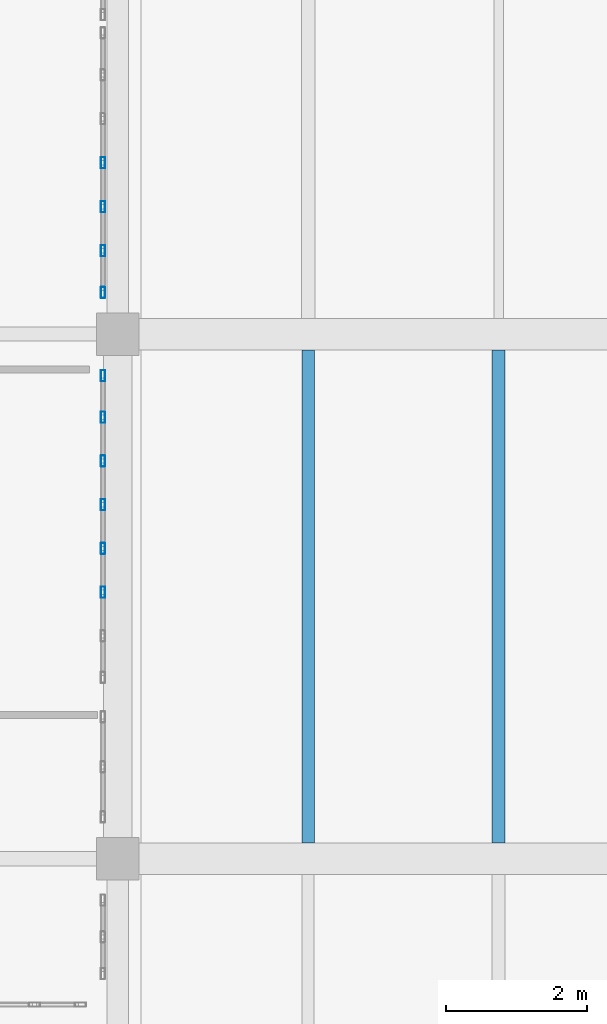
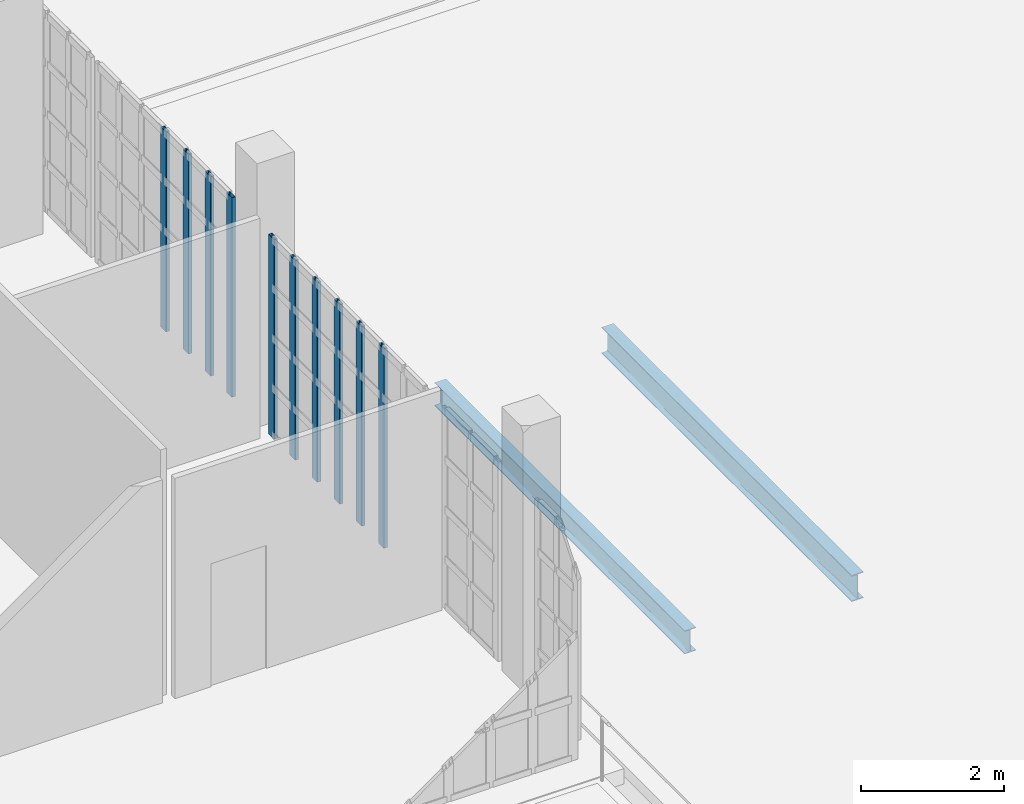
# One storey, part 28 of 73: 10 members, 2 beams, 2 elements without a shape of their own.
"""IFC4 building model written with IfcOpenShell, lengths in metres."""

from ifc_helpers import new_model, si_unit, direction, frame, origin, origin_2d, place, context, subcontext, project, spatial, hollow_rectangle, i_section, extrude, material, material_profile, profile_set, type_object, element, aggregate, save


model = new_model("IFC4")

# Units and contexts
model_context = context("Model", 3, precision=1e-05, world=origin(), true_north=direction((0.0, 1.0)))
body_context = subcontext(model_context, "Body", "Model", "MODEL_VIEW")
ifc_project = project(units=[si_unit("LENGTHUNIT", "METRE"), si_unit("AREAUNIT", "SQUARE_METRE"), si_unit("VOLUMEUNIT", "CUBIC_METRE"), si_unit("PLANEANGLEUNIT", "RADIAN"), si_unit("MASSUNIT", "GRAM", prefix="KILO")], contexts=[model_context])

# Site, building, storey
site_placement = place(None, origin())
site = spatial("IfcSite", under=ifc_project, at=site_placement, CompositionType="ELEMENT")
building_placement = place(site_placement, origin())
building = spatial("IfcBuilding", under=site, at=building_placement, Name="Kaelora Sail Theatre", CompositionType="ELEMENT")
storey_placement = place(building_placement, frame((0.0, 0.0, 10.199951171875)))
storey = spatial("IfcBuildingStorey", under=building, at=storey_placement, Name="L02", CompositionType="ELEMENT", Elevation=10.199951171875)

# Curtain wall, members
ifc_material_1 = material(Name="Anodised aluminium and solar-control low-E IGU", Category="aluminium")
curtain_wall_type = type_object("IfcCurtainWallType", Name="ARC-CW-CW-BRG", PredefinedType="NOTDEFINED", material=ifc_material_1)
curtain_wall_1_placement = place(storey_placement, origin())
curtain_wall_1 = element("IfcCurtainWall", 1, at=curtain_wall_1_placement, inside=storey, type_object=curtain_wall_type, Name="Glazed Colonnade/Courtyard Curtain Wall FC2-STEP-E-L02-02", PredefinedType="NOTDEFINED")
ifc_material_2 = material(Name="Anodised aluminium 6063-T6", Category="aluminium")
ifc_material_profile_1 = material_profile(ifc_material_2, hollow_rectangle(XDim=0.06005859375, YDim=0.159912109375, WallThickness=0.00390625, InnerFilletRadius=0.00390625, OuterFilletRadius=0.008056640625, at=origin_2d()), Name="ALU-MULL 60x160x4")
ifc_profile_set_1 = profile_set([ifc_material_profile_1], Name="Anodised aluminium 6063-T6")
member_type = type_object("IfcMemberType", Name="ARC-MEM-ML-160", PredefinedType="MULLION", material=ifc_profile_set_1)
member_1_placement = place(storey_placement, frame((122.7900390625, 72.239990234375, 0.0), z_axis=(0.0, 0.0, 1.0), x_axis=(-1.0, 0.0, 0.0)))
member_1 = element("IfcMember", 2, at=member_1_placement, type_object=member_type, Name="CW-BRG mullion 3", PredefinedType="MULLION", context=body_context, shape_type="SweptSolid", body=[
    extrude(hollow_rectangle(XDim=0.06005859375, YDim=0.159912109375, WallThickness=0.00390625, InnerFilletRadius=0.00390625, OuterFilletRadius=0.008056640625, at=origin_2d()), origin(), (0.0, 0.0, 1.0), 3.406982421875),
])
member_2_placement = place(storey_placement, frame((122.7900390625, 72.860107421875, 0.0), z_axis=(0.0, 0.0, 1.0), x_axis=(-1.0, 0.0, 0.0)))
member_2 = element("IfcMember", 3, at=member_2_placement, type_object=member_type, Name="CW-BRG mullion 4", PredefinedType="MULLION", context=body_context, shape_type="SweptSolid", body=[
    extrude(hollow_rectangle(XDim=0.06005859375, YDim=0.159912109375, WallThickness=0.00390625, InnerFilletRadius=0.00390625, OuterFilletRadius=0.008056640625, at=origin_2d()), origin(), (0.0, 0.0, 1.0), 3.406982421875),
])
member_3_placement = place(storey_placement, frame((122.7900390625, 73.47998046875, 0.0), z_axis=(0.0, 0.0, 1.0), x_axis=(-1.0, 0.0, 0.0)))
member_3 = element("IfcMember", 4, at=member_3_placement, type_object=member_type, Name="CW-BRG mullion 5", PredefinedType="MULLION", context=body_context, shape_type="SweptSolid", body=[
    extrude(hollow_rectangle(XDim=0.06005859375, YDim=0.159912109375, WallThickness=0.00390625, InnerFilletRadius=0.00390625, OuterFilletRadius=0.008056640625, at=origin_2d()), origin(), (0.0, 0.0, 1.0), 3.406982421875),
])
member_4_placement = place(storey_placement, frame((122.7900390625, 74.10009765625, 0.0), z_axis=(0.0, 0.0, 1.0), x_axis=(-1.0, 0.0, 0.0)))
member_4 = element("IfcMember", 5, at=member_4_placement, type_object=member_type, Name="CW-BRG mullion 6", PredefinedType="MULLION", context=body_context, shape_type="SweptSolid", body=[
    extrude(hollow_rectangle(XDim=0.06005859375, YDim=0.159912109375, WallThickness=0.00390625, InnerFilletRadius=0.00390625, OuterFilletRadius=0.008056640625, at=origin_2d()), origin(), (0.0, 0.0, 1.0), 3.406982421875),
])
member_5_placement = place(storey_placement, frame((122.7900390625, 74.719970703125, 0.0), z_axis=(0.0, 0.0, 1.0), x_axis=(-1.0, 0.0, 0.0)))
member_5 = element("IfcMember", 6, at=member_5_placement, type_object=member_type, Name="CW-BRG mullion 7", PredefinedType="MULLION", context=body_context, shape_type="SweptSolid", body=[
    extrude(hollow_rectangle(XDim=0.06005859375, YDim=0.159912109375, WallThickness=0.00390625, InnerFilletRadius=0.00390625, OuterFilletRadius=0.008056640625, at=origin_2d()), origin(), (0.0, 0.0, 1.0), 3.406982421875),
])
member_6_placement = place(storey_placement, frame((122.7900390625, 75.31005859375, 0.0), z_axis=(0.0, 0.0, 1.0), x_axis=(-1.0, 0.0, 0.0)))
member_6 = element("IfcMember", 7, at=member_6_placement, type_object=member_type, Name="CW-BRG mullion 8", PredefinedType="MULLION", context=body_context, shape_type="SweptSolid", body=[
    extrude(hollow_rectangle(XDim=0.06005859375, YDim=0.159912109375, WallThickness=0.00390625, InnerFilletRadius=0.00390625, OuterFilletRadius=0.008056640625, at=origin_2d()), origin(), (0.0, 0.0, 1.0), 3.406982421875),
])
aggregate(curtain_wall_1, [member_1, member_2, member_3, member_4, member_5, member_6])

curtain_wall_2_placement = place(storey_placement, origin())
curtain_wall_2 = element("IfcCurtainWall", 8, at=curtain_wall_2_placement, inside=storey, type_object=curtain_wall_type, Name="Glazed Colonnade/Courtyard Curtain Wall FC2-STEP-E-L02-03", PredefinedType="NOTDEFINED")
member_7_placement = place(storey_placement, frame((122.7900390625, 76.489990234375, 0.0), z_axis=(0.0, 0.0, 1.0), x_axis=(-1.0, 0.0, 0.0)))
member_7 = element("IfcMember", 9, at=member_7_placement, type_object=member_type, Name="CW-BRG mullion 1", PredefinedType="MULLION", context=body_context, shape_type="SweptSolid", body=[
    extrude(hollow_rectangle(XDim=0.06005859375, YDim=0.159912109375, WallThickness=0.00390625, InnerFilletRadius=0.00390625, OuterFilletRadius=0.008056640625, at=origin_2d()), origin(), (0.0, 0.0, 1.0), 3.406982421875),
])
member_8_placement = place(storey_placement, frame((122.7900390625, 77.083251953125, 0.0), z_axis=(0.0, 0.0, 1.0), x_axis=(-1.0, 0.0, 0.0)))
member_8 = element("IfcMember", 10, at=member_8_placement, type_object=member_type, Name="CW-BRG mullion 2", PredefinedType="MULLION", context=body_context, shape_type="SweptSolid", body=[
    extrude(hollow_rectangle(XDim=0.06005859375, YDim=0.159912109375, WallThickness=0.00390625, InnerFilletRadius=0.00390625, OuterFilletRadius=0.008056640625, at=origin_2d()), origin(), (0.0, 0.0, 1.0), 3.406982421875),
])
member_9_placement = place(storey_placement, frame((122.7900390625, 77.706787109375, 0.0), z_axis=(0.0, 0.0, 1.0), x_axis=(-1.0, 0.0, 0.0)))
member_9 = element("IfcMember", 11, at=member_9_placement, type_object=member_type, Name="CW-BRG mullion 3", PredefinedType="MULLION", context=body_context, shape_type="SweptSolid", body=[
    extrude(hollow_rectangle(XDim=0.06005859375, YDim=0.159912109375, WallThickness=0.00390625, InnerFilletRadius=0.00390625, OuterFilletRadius=0.008056640625, at=origin_2d()), origin(), (0.0, 0.0, 1.0), 3.406982421875),
])
member_10_placement = place(storey_placement, frame((122.7900390625, 78.330078125, 0.0), z_axis=(0.0, 0.0, 1.0), x_axis=(-1.0, 0.0, 0.0)))
member_10 = element("IfcMember", 12, at=member_10_placement, type_object=member_type, Name="CW-BRG mullion 4", PredefinedType="MULLION", context=body_context, shape_type="SweptSolid", body=[
    extrude(hollow_rectangle(XDim=0.06005859375, YDim=0.159912109375, WallThickness=0.00390625, InnerFilletRadius=0.00390625, OuterFilletRadius=0.008056640625, at=origin_2d()), origin(), (0.0, 0.0, 1.0), 3.406982421875),
])
aggregate(curtain_wall_2, [member_7, member_8, member_9, member_10])

# Beams
ifc_material_3 = material(Name="Steel S355", Category="steel")
ifc_material_profile_2 = material_profile(ifc_material_3, i_section(OverallWidth=0.18994140625, OverallDepth=0.449951171875, WebThickness=0.009521484375, FlangeThickness=0.0146484375, FilletRadius=0.02099609375, at=origin_2d()), Name="IPE 450")
ifc_profile_set_2 = profile_set([ifc_material_profile_2], Name="Steel S355")
beam_type_1 = type_object("IfcBeamType", Name="STR-BM-BM-IPE450", PredefinedType="BEAM", material=ifc_profile_set_2)
beam_1_placement = place(storey_placement, frame((128.39990234375, 68.68505859375, -0.52001953125), z_axis=(0.0, 1.0, 0.0), x_axis=(-1.0, 0.0, 0.0)))
element("IfcBeam", 13, at=beam_1_placement, inside=storey, type_object=beam_type_1, Name="Secondary floor joist 16/J-2 (L02)", PredefinedType="BEAM", context=body_context, shape_type="SweptSolid", body=[
    extrude(i_section(OverallWidth=0.18994140625, OverallDepth=0.449951171875, WebThickness=0.009521484375, FlangeThickness=0.0146484375, FilletRadius=0.02099609375, at=origin_2d()), origin(), (0.0, 0.0, 1.0), 6.989990234375),
])
ifc_material_4 = material(Name="Steel S355", Category="steel")
ifc_material_profile_3 = material_profile(ifc_material_4, i_section(OverallWidth=0.179931640625, OverallDepth=0.39990234375, WebThickness=0.008544921875, FlangeThickness=0.013427734375, FilletRadius=0.02099609375, at=origin_2d()), Name="IPE 400")
ifc_profile_set_3 = profile_set([ifc_material_profile_3], Name="Steel S355")
beam_type_2 = type_object("IfcBeamType", Name="STR-BM-JS-IPE400", PredefinedType="JOIST", material=ifc_profile_set_3)
beam_2_placement = place(storey_placement, frame((125.699951171875, 68.68505859375, -0.494873046875), z_axis=(0.0, 1.0, 0.0), x_axis=(-1.0, 0.0, 0.0)))
element("IfcBeam", 14, at=beam_2_placement, inside=storey, type_object=beam_type_2, Name="Secondary floor joist 16/J-1 (L02)", PredefinedType="JOIST", context=body_context, shape_type="SweptSolid", body=[
    extrude(i_section(OverallWidth=0.179931640625, OverallDepth=0.39990234375, WebThickness=0.008544921875, FlangeThickness=0.013427734375, FilletRadius=0.02099609375, at=origin_2d()), origin(), (0.0, 0.0, 1.0), 6.989990234375),
])

save(model, "model.ifc")
